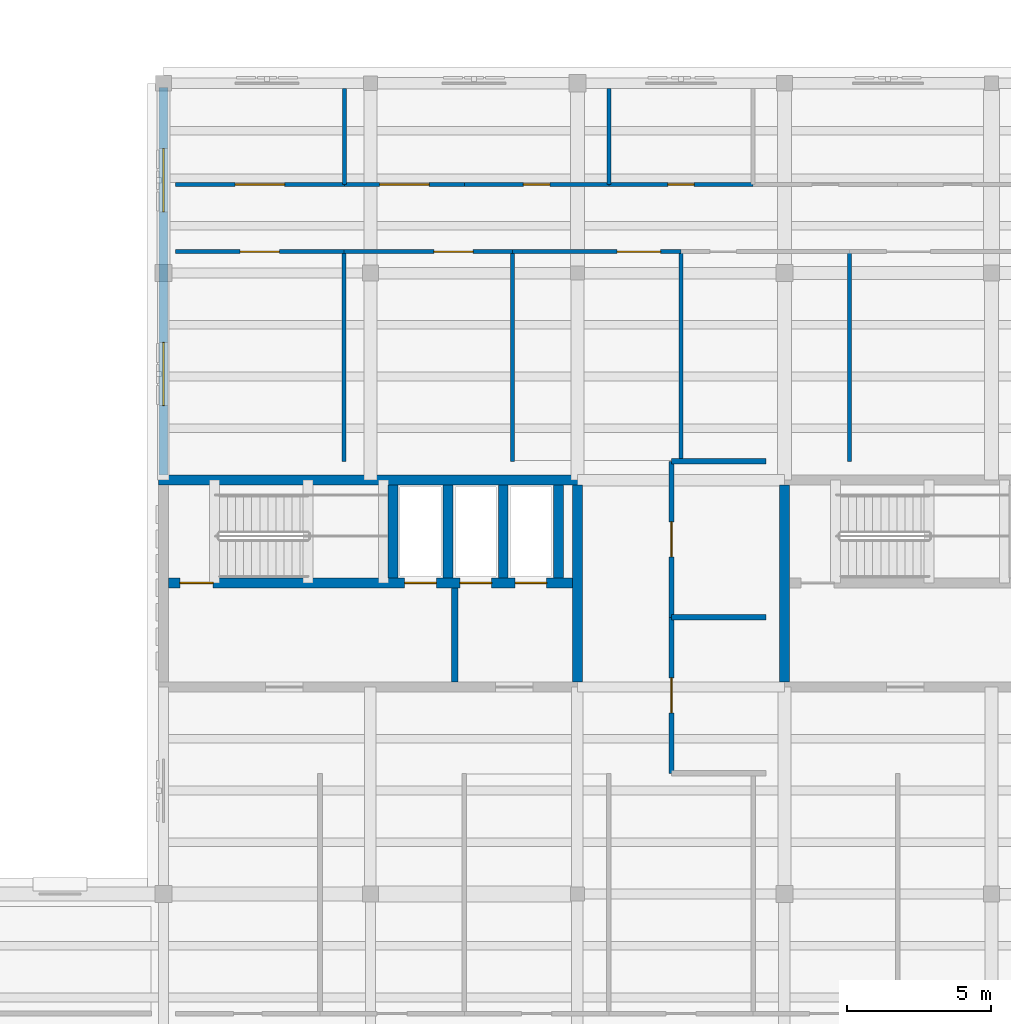
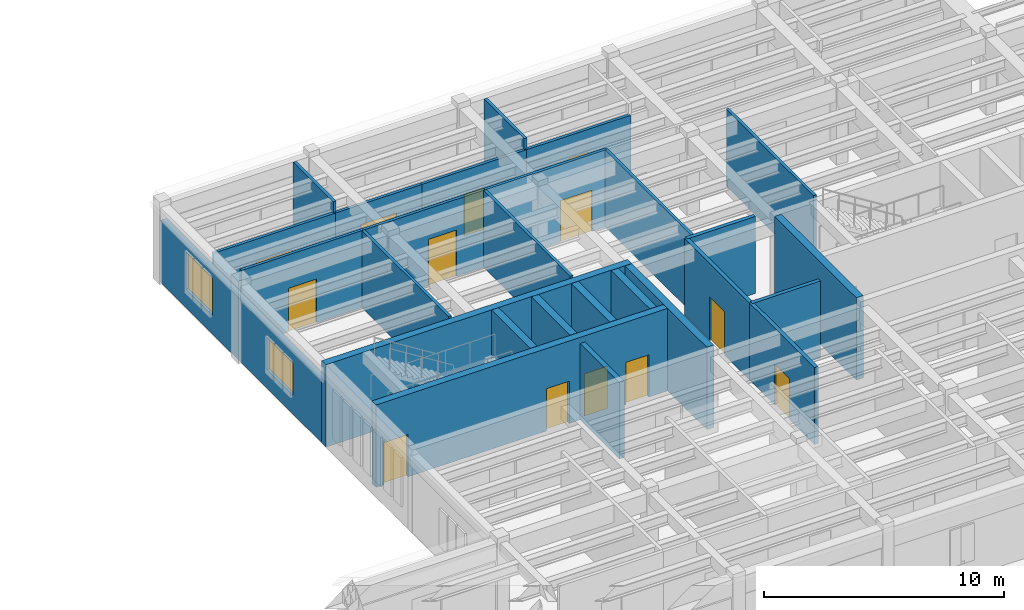
# One storey, part 14 of 22: 27 walls, 13 doors, 2 windows, 15 openings.
"""IFC4 building model written with IfcOpenShell, lengths in metres."""

from ifc_helpers import new_model, si_unit, direction, frame, frame_2d, origin, place, context, subcontext, project, spatial, rectangle, extrude, material, layer, layer_set, type_object, element, fill, save


model = new_model("IFC4")

# Units and contexts
model_context = context("Model", 3, precision=1e-05, world=origin(), true_north=direction((0.0, 1.0)))
body_context = subcontext(model_context, "Body", "Model", "MODEL_VIEW")
ifc_project = project(units=[si_unit("LENGTHUNIT", "METRE"), si_unit("AREAUNIT", "SQUARE_METRE"), si_unit("VOLUMEUNIT", "CUBIC_METRE"), si_unit("PLANEANGLEUNIT", "RADIAN"), si_unit("MASSUNIT", "GRAM", prefix="KILO")], contexts=[model_context])

# Site, building, storey
site_placement = place(None, origin())
site = spatial("IfcSite", under=ifc_project, at=site_placement, CompositionType="ELEMENT")
building_placement = place(site_placement, origin())
building = spatial("IfcBuilding", under=site, at=building_placement, Name="Mithqara Police Headquarters", CompositionType="ELEMENT")
storey_placement = place(building_placement, frame((0.0, 0.0, 22.199951171875)))
storey = spatial("IfcBuildingStorey", under=building, at=storey_placement, Name="L05", CompositionType="ELEMENT", Elevation=22.199951171875)

# Wall
ifc_material_1 = material(Name="Concrete C40/50", Category="concrete")
ifc_layer_1 = layer(ifc_material_1, 0.239990234375, Name="Concrete C40/50")
ifc_layer_set_1 = layer_set([ifc_layer_1], Name="Concrete C40/50")
wall_type_1 = type_object("IfcWallType", Name="CORE LOBBY WALL 240", PredefinedType="SOLIDWALL", material=ifc_layer_set_1)
wall_1_placement = place(storey_placement, frame((118.72998046875, 93.169921875, 0.0), z_axis=(0.0, 0.0, 1.0), x_axis=(0.0, 1.0, 0.0)))
element("IfcWall", 1, at=wall_1_placement, inside=storey, type_object=wall_type_1, Name="Core C1 Command West Firefighting Lobby Separation Wall L05", PredefinedType="SOLIDWALL", context=body_context, shape_type="SweptSolid", body=[
    extrude(rectangle(XDim=3.280029296875, YDim=0.239990234375, at=frame_2d((1.64013671875, 0.0))), origin(), (0.0, 0.0, 1.0), 3.89013671875),
])

# Wall, openings, windows
ifc_material_2 = material(Name="Ochre masonry cavity wall, 35 MPa", Category="masonry")
ifc_layer_2 = layer(ifc_material_2, 0.300048828125, Name="Ochre masonry cavity wall, 35 MPa")
ifc_layer_set_2 = layer_set([ifc_layer_2], Name="Ochre masonry cavity wall, 35 MPa")
wall_type_2 = type_object("IfcWallType", Name="EXT WALL OCHRE BRICK300", PredefinedType="SOLIDWALL", material=ifc_layer_set_2)
wall_2_placement = place(storey_placement, frame((108.60009765625, 113.85009765625, 0.0), z_axis=(0.0, 0.0, 1.0), x_axis=(0.0, -1.0, 0.0)))
wall_2 = element("IfcWall", 2, at=wall_2_placement, inside=storey, type_object=wall_type_2, Name="L05 Exterior Wall 9.1", PredefinedType="SOLIDWALL", context=body_context, shape_type="SweptSolid", body=[
    extrude(rectangle(XDim=13.47998046875, YDim=0.300048828125, at=frame_2d((6.739990234375, 0.0))), origin(), (0.0, 0.0, 1.0), 3.170166015625),
])
opening_1_placement = place(wall_2_placement, frame((8.864990234375, 0.0, 0.949951171875)))
opening_1 = element("IfcOpeningElement", 3, at=opening_1_placement, cuts=wall_2, Name="Opening W-42", PredefinedType="OPENING", context=body_context, shape_type="SweptSolid", body=[
    extrude(rectangle(XDim=2.199951171875, YDim=1.64990234375, at=frame_2d((1.10009765625, 0.824951171875))), frame((0.0, 0.16015625, 0.0), z_axis=(0.0, -1.0, 0.0), x_axis=(1.0, 0.0, 0.0)), (0.0, 0.0, 1.0), 0.320068359375),
])
opening_2_placement = place(wall_2_placement, frame((2.125, 0.0, 0.949951171875)))
opening_2 = element("IfcOpeningElement", 4, at=opening_2_placement, cuts=wall_2, Name="Opening W-43", PredefinedType="OPENING", context=body_context, shape_type="SweptSolid", body=[
    extrude(rectangle(XDim=2.199951171875, YDim=1.89990234375, at=frame_2d((1.10009765625, 0.949951171875))), frame((0.0, 0.16015625, 0.0), z_axis=(0.0, -1.0, 0.0), x_axis=(1.0, 0.0, 0.0)), (0.0, 0.0, 1.0), 0.320068359375),
])
ifc_material_3 = material(Name="Spectrally selective double low-e glass", Category="glass")
window_type_1 = type_object("IfcWindowType", Name="WINDOW 2200X1650", PartitioningType="DOUBLE_PANEL_VERTICAL", PredefinedType="WINDOW", material=ifc_material_3)
window_1_placement = place(opening_1_placement, origin())
window_1 = element("IfcWindow", 5, at=window_1_placement, inside=storey, type_object=window_type_1, Name="L05 Command Block Screened Window 9.1", OverallHeight=1.64990234375, OverallWidth=2.199951171875, PartitioningType="SINGLE_PANEL", PredefinedType="WINDOW", context=body_context, shape_type="SweptSolid", body=[
    extrude(rectangle(XDim=2.199951171875, YDim=1.64990234375, at=frame_2d((1.10009765625, 0.824951171875))), frame((0.0, 0.030029296875, 0.0), z_axis=(0.0, -1.0, 0.0), x_axis=(1.0, 0.0, 0.0)), (0.0, 0.0, 1.0), 0.06005859375),
])
fill(opening_1, window_1)
window_type_2 = type_object("IfcWindowType", Name="WINDOW 2200X1900", PartitioningType="DOUBLE_PANEL_VERTICAL", PredefinedType="WINDOW", material=ifc_material_3)
window_2_placement = place(opening_2_placement, origin())
window_2 = element("IfcWindow", 6, at=window_2_placement, inside=storey, type_object=window_type_2, Name="L05 Command Block Screened Window 9.2", OverallHeight=1.89990234375, OverallWidth=2.199951171875, PartitioningType="SINGLE_PANEL", PredefinedType="WINDOW", context=body_context, shape_type="SweptSolid", body=[
    extrude(rectangle(XDim=2.199951171875, YDim=1.89990234375, at=frame_2d((1.10009765625, 0.949951171875))), frame((0.0, 0.030029296875, 0.0), z_axis=(0.0, -1.0, 0.0), x_axis=(1.0, 0.0, 0.0)), (0.0, 0.0, 1.0), 0.06005859375),
])
fill(opening_2, window_2)

# Wall, opening, door
ifc_material_4 = material(Name="Gypsum acoustic stud partition", Category="gypsum")
ifc_layer_3 = layer(ifc_material_4, 0.139892578125, Name="Gypsum acoustic stud partition")
ifc_layer_set_3 = layer_set([ifc_layer_3], Name="Gypsum acoustic stud partition")
wall_type_3 = type_object("IfcWallType", Name="PART WALL 140", PredefinedType="PARTITIONING", material=ifc_layer_set_3)
wall_3_placement = place(storey_placement, frame((109.02001953125, 108.139892578125, 0.0), z_axis=(0.0, 0.0, 1.0), x_axis=(1.0, 0.0, 0.0)))
wall_3 = element("IfcWall", 7, at=wall_3_placement, inside=storey, type_object=wall_type_3, Name="L05 Corridor Wall Police Commissioner Directorate", PredefinedType="PARTITIONING", context=body_context, shape_type="SweptSolid", body=[
    extrude(rectangle(XDim=5.85986328125, YDim=0.139892578125, at=frame_2d((2.929931640625, 0.0))), origin(), (0.0, 0.0, 1.0), 3.920166015625),
])
opening_3_placement = place(wall_3_placement, frame((2.25, 0.0, 0.0)))
opening_3 = element("IfcOpeningElement", 8, at=opening_3_placement, cuts=wall_3, Name="Opening D-17", PredefinedType="OPENING", context=body_context, shape_type="SweptSolid", body=[
    extrude(rectangle(XDim=1.360107421875, YDim=2.219970703125, at=frame_2d((0.68017578125, 1.10986328125))), frame((0.0, 0.080078125, 0.0), z_axis=(0.0, -1.0, 0.0), x_axis=(1.0, 0.0, 0.0)), (0.0, 0.0, 1.0), 0.159912109375),
])
ifc_material_5 = material(Name="Bronze anodised aluminium 6063-T6", Category="aluminium")
door_type_1 = type_object("IfcDoorType", Name="INT DOOR 1360X2220", OperationType="NOTDEFINED", PredefinedType="DOOR", material=ifc_material_5)
door_1_placement = place(opening_3_placement, frame((1.360107421875, 0.0, 0.0), z_axis=(0.0, 0.0, 1.0), x_axis=(-1.0, 0.0, 0.0)))
door_1 = element("IfcDoor", 9, at=door_1_placement, inside=storey, type_object=door_type_1, Name="Police Commissioner Directorate Entry Door", OperationType="SINGLE_SWING_RIGHT", OverallHeight=2.219970703125, OverallWidth=1.360107421875, PredefinedType="DOOR", context=body_context, shape_type="SweptSolid", body=[
    extrude(rectangle(XDim=1.360107421875, YDim=2.219970703125, at=frame_2d((0.68017578125, 1.10986328125))), frame((0.0, 0.02490234375, 0.0), z_axis=(0.0, -1.0, 0.0), x_axis=(1.0, 0.0, 0.0)), (0.0, 0.0, 1.0), 0.050048828125),
])
fill(opening_3, door_1)

# Wall
wall_4_placement = place(storey_placement, frame((114.8798828125, 100.85009765625, 0.0), z_axis=(0.0, 0.0, 1.0), x_axis=(0.0, 1.0, 0.0)))
element("IfcWall", 10, at=wall_4_placement, inside=storey, type_object=wall_type_3, Name="L05 Room Partition Police Commissioner Directorate", PredefinedType="PARTITIONING", context=body_context, shape_type="SweptSolid", body=[
    extrude(rectangle(XDim=7.289794921875, YDim=0.139892578125, at=frame_2d((3.64501953125, 0.0))), origin(), (0.0, 0.0, 1.0), 3.920166015625),
])

# Wall, opening, door
wall_5_placement = place(storey_placement, frame((114.8798828125, 108.139892578125, 0.0), z_axis=(0.0, 0.0, 1.0), x_axis=(1.0, 0.0, 0.0)))
wall_5 = element("IfcWall", 11, at=wall_5_placement, inside=storey, type_object=wall_type_3, Name="L05 Corridor Wall Deputy Commissioner Suite", PredefinedType="PARTITIONING", context=body_context, shape_type="SweptSolid", body=[
    extrude(rectangle(XDim=5.860107421875, YDim=0.139892578125, at=frame_2d((2.93017578125, 0.0))), origin(), (0.0, 0.0, 1.0), 3.920166015625),
])
opening_4_placement = place(wall_5_placement, frame((3.12890625, 0.0, 0.0)))
opening_4 = element("IfcOpeningElement", 12, at=opening_4_placement, cuts=wall_5, Name="Opening D-18", PredefinedType="OPENING", context=body_context, shape_type="SweptSolid", body=[
    extrude(rectangle(XDim=1.360107421875, YDim=2.35009765625, at=frame_2d((0.68017578125, 1.175048828125))), frame((0.0, 0.080078125, 0.0), z_axis=(0.0, -1.0, 0.0), x_axis=(1.0, 0.0, 0.0)), (0.0, 0.0, 1.0), 0.159912109375),
])
door_type_2 = type_object("IfcDoorType", Name="INT DOOR 1360X2350", OperationType="NOTDEFINED", PredefinedType="DOOR", material=ifc_material_5)
door_2_placement = place(opening_4_placement, frame((1.360107421875, 0.0, 0.0), z_axis=(0.0, 0.0, 1.0), x_axis=(-1.0, 0.0, 0.0)))
door_2 = element("IfcDoor", 13, at=door_2_placement, inside=storey, type_object=door_type_2, Name="Deputy Commissioner Suite Entry Door", OperationType="SINGLE_SWING_LEFT", OverallHeight=2.35009765625, OverallWidth=1.360107421875, PredefinedType="DOOR", context=body_context, shape_type="SweptSolid", body=[
    extrude(rectangle(XDim=1.360107421875, YDim=2.35009765625, at=frame_2d((0.68017578125, 1.175048828125))), frame((0.0, 0.02490234375, 0.0), z_axis=(0.0, -1.0, 0.0), x_axis=(1.0, 0.0, 0.0)), (0.0, 0.0, 1.0), 0.050048828125),
])
fill(opening_4, door_2)

# Wall
wall_6_placement = place(storey_placement, frame((120.739990234375, 100.85009765625, 0.0), z_axis=(0.0, 0.0, 1.0), x_axis=(0.0, 1.0, 0.0)))
element("IfcWall", 14, at=wall_6_placement, inside=storey, type_object=wall_type_3, Name="L05 Room Partition Deputy Commissioner Suite", PredefinedType="PARTITIONING", context=body_context, shape_type="SweptSolid", body=[
    extrude(rectangle(XDim=7.289794921875, YDim=0.139892578125, at=frame_2d((3.64501953125, 0.0))), origin(), (0.0, 0.0, 1.0), 3.920166015625),
])

# Wall, opening, door
wall_7_placement = place(storey_placement, frame((120.739990234375, 108.139892578125, 0.0), z_axis=(0.0, 0.0, 1.0), x_axis=(1.0, 0.0, 0.0)))
wall_7 = element("IfcWall", 15, at=wall_7_placement, inside=storey, type_object=wall_type_3, Name="L05 Corridor Wall Executive Briefing Room", PredefinedType="PARTITIONING", context=body_context, shape_type="SweptSolid", body=[
    extrude(rectangle(XDim=5.860107421875, YDim=0.139892578125, at=frame_2d((2.93017578125, 0.0))), origin(), (0.0, 0.0, 1.0), 3.920166015625),
])
opening_5_placement = place(wall_7_placement, frame((3.635009765625, 0.0, 0.0)))
opening_5 = element("IfcOpeningElement", 16, at=opening_5_placement, cuts=wall_7, Name="Opening D-19", PredefinedType="OPENING", context=body_context, shape_type="SweptSolid", body=[
    extrude(rectangle(XDim=1.52001953125, YDim=2.10009765625, at=frame_2d((0.760009765625, 1.050048828125))), frame((0.0, 0.080078125, 0.0), z_axis=(0.0, -1.0, 0.0), x_axis=(1.0, 0.0, 0.0)), (0.0, 0.0, 1.0), 0.159912109375),
])
door_type_3 = type_object("IfcDoorType", Name="INT DOOR 1520X2100", OperationType="NOTDEFINED", PredefinedType="DOOR", material=ifc_material_5)
door_3_placement = place(opening_5_placement, frame((1.52001953125, 0.0, 0.0), z_axis=(0.0, 0.0, 1.0), x_axis=(-1.0, 0.0, 0.0)))
door_3 = element("IfcDoor", 17, at=door_3_placement, inside=storey, type_object=door_type_3, Name="Executive Briefing Room Entry Door", OperationType="DOUBLE_DOOR_SINGLE_SWING", OverallHeight=2.10009765625, OverallWidth=1.52001953125, PredefinedType="DOOR", context=body_context, shape_type="SweptSolid", body=[
    extrude(rectangle(XDim=1.52001953125, YDim=2.10009765625, at=frame_2d((0.760009765625, 1.050048828125))), frame((0.0, 0.02490234375, 0.0), z_axis=(0.0, -1.0, 0.0), x_axis=(1.0, 0.0, 0.0)), (0.0, 0.0, 1.0), 0.050048828125),
])
fill(opening_5, door_3)

# Walls
for number, where, z_axis, x_axis, name in (
    (18, (126.60009765625, 100.85009765625, 0.0), (0.0, 0.0, 1.0), (0.0, 1.0, 0.0), "L05 Room Partition Executive Briefing Room"),
    (19, (132.4599609375, 100.85009765625, 0.0), (0.0, 0.0, 1.0), (0.0, 1.0, 0.0), "L05 Room Partition Chief of Staff Office"),
):
    element("IfcWall", number, at=place(storey_placement, frame(where, z_axis=z_axis, x_axis=x_axis)), inside=storey, type_object=wall_type_3, Name=name, PredefinedType="PARTITIONING", context=body_context, shape_type="SweptSolid", body=[
        extrude(rectangle(XDim=7.289794921875, YDim=0.139892578125, at=frame_2d((3.64501953125, 0.0))), origin(), (0.0, 0.0, 1.0), 3.920166015625),
    ])

# Wall, opening, door
wall_8_placement = place(storey_placement, frame((109.02001953125, 110.47998046875, 0.0), z_axis=(0.0, 0.0, 1.0), x_axis=(1.0, 0.0, 0.0)))
wall_8 = element("IfcWall", 20, at=wall_8_placement, inside=storey, type_object=wall_type_3, Name="L05 Corridor Wall Executive Briefing Room", PredefinedType="PARTITIONING", context=body_context, shape_type="SweptSolid", body=[
    extrude(rectangle(XDim=5.873046875, YDim=0.139892578125, at=frame_2d((2.9365234375, 0.0))), origin(), (0.0, 0.0, 1.0), 3.3701171875),
])
opening_6_placement = place(wall_8_placement, frame((2.076416015625, 0.0, 0.0)))
opening_6 = element("IfcOpeningElement", 21, at=opening_6_placement, cuts=wall_8, Name="Opening D-23", PredefinedType="OPENING", context=body_context, shape_type="SweptSolid", body=[
    extrude(rectangle(XDim=1.719970703125, YDim=2.219970703125, at=frame_2d((0.85986328125, 1.10986328125))), frame((0.0, 0.080078125, 0.0), z_axis=(0.0, -1.0, 0.0), x_axis=(1.0, 0.0, 0.0)), (0.0, 0.0, 1.0), 0.159912109375),
])
door_type_4 = type_object("IfcDoorType", Name="INT DOOR 1720X2220", OperationType="NOTDEFINED", PredefinedType="DOOR", material=ifc_material_5)
door_4_placement = place(opening_6_placement, origin())
door_4 = element("IfcDoor", 22, at=door_4_placement, inside=storey, type_object=door_type_4, Name="Executive Briefing Room Entry Door", OperationType="DOUBLE_DOOR_SINGLE_SWING", OverallHeight=2.219970703125, OverallWidth=1.719970703125, PredefinedType="DOOR", context=body_context, shape_type="SweptSolid", body=[
    extrude(rectangle(XDim=1.719970703125, YDim=2.219970703125, at=frame_2d((0.85986328125, 1.10986328125))), frame((0.0, 0.02490234375, 0.0), z_axis=(0.0, -1.0, 0.0), x_axis=(1.0, 0.0, 0.0)), (0.0, 0.0, 1.0), 0.050048828125),
])
fill(opening_6, door_4)

# Wall
wall_9_placement = place(storey_placement, frame((114.89306640625, 110.47998046875, 0.0), z_axis=(0.0, 0.0, 1.0), x_axis=(0.0, 1.0, 0.0)))
element("IfcWall", 23, at=wall_9_placement, inside=storey, type_object=wall_type_3, Name="L05 Room Partition Executive Briefing Room", PredefinedType="PARTITIONING", context=body_context, shape_type="SweptSolid", body=[
    extrude(rectangle(XDim=3.340087890625, YDim=0.139892578125, at=frame_2d((1.669921875, 0.0))), origin(), (0.0, 0.0, 1.0), 3.920166015625),
])

# Wall, opening, door
wall_10_placement = place(storey_placement, frame((114.89306640625, 110.47998046875, 0.0), z_axis=(0.0, 0.0, 1.0), x_axis=(1.0, 0.0, 0.0)))
wall_10 = element("IfcWall", 24, at=wall_10_placement, inside=storey, type_object=wall_type_3, Name="L05 Corridor Wall Chief of Staff Office", PredefinedType="PARTITIONING", context=body_context, shape_type="SweptSolid", body=[
    extrude(rectangle(XDim=4.1728515625, YDim=0.139892578125, at=frame_2d((2.08642578125, 0.0))), origin(), (0.0, 0.0, 1.0), 3.3701171875),
])
opening_7_placement = place(wall_10_placement, frame((1.2265625, 0.0, 0.0)))
opening_7 = element("IfcOpeningElement", 25, at=opening_7_placement, cuts=wall_10, Name="Opening D-24", PredefinedType="OPENING", context=body_context, shape_type="SweptSolid", body=[
    extrude(rectangle(XDim=1.719970703125, YDim=2.35009765625, at=frame_2d((0.85986328125, 1.175048828125))), frame((0.0, 0.080078125, 0.0), z_axis=(0.0, -1.0, 0.0), x_axis=(1.0, 0.0, 0.0)), (0.0, 0.0, 1.0), 0.159912109375),
])
door_type_5 = type_object("IfcDoorType", Name="INT DOOR 1720X2350", OperationType="NOTDEFINED", PredefinedType="DOOR", material=ifc_material_5)
door_5_placement = place(opening_7_placement, origin())
door_5 = element("IfcDoor", 26, at=door_5_placement, inside=storey, type_object=door_type_5, Name="Chief of Staff Office Entry Door", OperationType="DOUBLE_DOOR_SINGLE_SWING", OverallHeight=2.35009765625, OverallWidth=1.719970703125, PredefinedType="DOOR", context=body_context, shape_type="SweptSolid", body=[
    extrude(rectangle(XDim=1.719970703125, YDim=2.35009765625, at=frame_2d((0.85986328125, 1.175048828125))), frame((0.0, 0.02490234375, 0.0), z_axis=(0.0, -1.0, 0.0), x_axis=(1.0, 0.0, 0.0)), (0.0, 0.0, 1.0), 0.050048828125),
])
fill(opening_7, door_5)

wall_11_placement = place(storey_placement, frame((119.06591796875, 110.47998046875, 0.0), z_axis=(0.0, 0.0, 1.0), x_axis=(1.0, 0.0, 0.0)))
wall_11 = element("IfcWall", 27, at=wall_11_placement, inside=storey, type_object=wall_type_3, Name="L05 Corridor Wall Police Commissioner Directorate", PredefinedType="PARTITIONING", context=body_context, shape_type="SweptSolid", body=[
    extrude(rectangle(XDim=5.023193359375, YDim=0.139892578125, at=frame_2d((2.51171875, 0.0))), origin(), (0.0, 0.0, 1.0), 3.3701171875),
])
opening_8_placement = place(wall_11_placement, frame((2.051513671875, 0.0, 0.0)))
opening_8 = element("IfcOpeningElement", 28, at=opening_8_placement, cuts=wall_11, Name="Opening D-01", PredefinedType="OPENING", context=body_context, shape_type="SweptSolid", body=[
    extrude(rectangle(XDim=0.919921875, YDim=2.10009765625, at=frame_2d((0.4599609375, 1.050048828125))), frame((0.0, 0.080078125, 0.0), z_axis=(0.0, -1.0, 0.0), x_axis=(1.0, 0.0, 0.0)), (0.0, 0.0, 1.0), 0.159912109375),
])
ifc_material_6 = material(Name="Acoustic solid-core timber leaf", Category="wood")
door_type_6 = type_object("IfcDoorType", Name="INT DOOR 920X2100", OperationType="NOTDEFINED", PredefinedType="DOOR", material=ifc_material_6)
door_6_placement = place(opening_8_placement, origin())
door_6 = element("IfcDoor", 29, at=door_6_placement, inside=storey, type_object=door_type_6, Name="Police Commissioner Directorate Entry Door", OperationType="SINGLE_SWING_RIGHT", OverallHeight=2.10009765625, OverallWidth=0.919921875, PredefinedType="DOOR", context=body_context, shape_type="SweptSolid", body=[
    extrude(rectangle(XDim=0.919921875, YDim=2.10009765625, at=frame_2d((0.4599609375, 1.050048828125))), frame((0.0, 0.02490234375, 0.0), z_axis=(0.0, -1.0, 0.0), x_axis=(1.0, 0.0, 0.0)), (0.0, 0.0, 1.0), 0.050048828125),
])
fill(opening_8, door_6)

# Wall
wall_12_placement = place(storey_placement, frame((124.089111328125, 110.47998046875, 0.0), z_axis=(0.0, 0.0, 1.0), x_axis=(0.0, 1.0, 0.0)))
element("IfcWall", 30, at=wall_12_placement, inside=storey, type_object=wall_type_3, Name="L05 Room Partition Police Commissioner Directorate", PredefinedType="PARTITIONING", context=body_context, shape_type="SweptSolid", body=[
    extrude(rectangle(XDim=3.340087890625, YDim=0.139892578125, at=frame_2d((1.669921875, 0.0))), origin(), (0.0, 0.0, 1.0), 3.920166015625),
])

# Wall, opening, door
wall_13_placement = place(storey_placement, frame((124.089111328125, 110.47998046875, 0.0), z_axis=(0.0, 0.0, 1.0), x_axis=(1.0, 0.0, 0.0)))
wall_13 = element("IfcWall", 31, at=wall_13_placement, inside=storey, type_object=wall_type_3, Name="L05 Corridor Wall Deputy Commissioner Suite", PredefinedType="PARTITIONING", context=body_context, shape_type="SweptSolid", body=[
    extrude(rectangle(XDim=5.02197265625, YDim=0.139892578125, at=frame_2d((2.510986328125, 0.0))), origin(), (0.0, 0.0, 1.0), 3.3701171875),
])
opening_9_placement = place(wall_13_placement, frame((2.051025390625, 0.0, 0.0)))
opening_9 = element("IfcOpeningElement", 32, at=opening_9_placement, cuts=wall_13, Name="Opening D-02", PredefinedType="OPENING", context=body_context, shape_type="SweptSolid", body=[
    extrude(rectangle(XDim=0.919921875, YDim=2.219970703125, at=frame_2d((0.4599609375, 1.10986328125))), frame((0.0, 0.080078125, 0.0), z_axis=(0.0, -1.0, 0.0), x_axis=(1.0, 0.0, 0.0)), (0.0, 0.0, 1.0), 0.159912109375),
])
door_type_7 = type_object("IfcDoorType", Name="INT DOOR 920X2220", OperationType="NOTDEFINED", PredefinedType="DOOR", material=ifc_material_6)
door_7_placement = place(opening_9_placement, origin())
door_7 = element("IfcDoor", 33, at=door_7_placement, inside=storey, type_object=door_type_7, Name="Deputy Commissioner Suite Entry Door", OperationType="SINGLE_SWING_LEFT", OverallHeight=2.219970703125, OverallWidth=0.919921875, PredefinedType="DOOR", context=body_context, shape_type="SweptSolid", body=[
    extrude(rectangle(XDim=0.919921875, YDim=2.219970703125, at=frame_2d((0.4599609375, 1.10986328125))), frame((0.0, 0.02490234375, 0.0), z_axis=(0.0, -1.0, 0.0), x_axis=(1.0, 0.0, 0.0)), (0.0, 0.0, 1.0), 0.050048828125),
])
fill(opening_9, door_7)

# Wall
ifc_layer_4 = layer(ifc_material_1, 0.179931640625, Name="Concrete C40/50")
ifc_layer_set_4 = layer_set([ifc_layer_4], Name="Concrete C40/50")
wall_type_4 = type_object("IfcWallType", Name="PART WALL 180", PredefinedType="PARTITIONING", material=ifc_layer_set_4)
wall_14_placement = place(storey_placement, frame((126.27001953125, 100.85009765625, 0.0), z_axis=(0.0, 0.0, 1.0), x_axis=(1.0, 0.0, 0.0)))
element("IfcWall", 34, at=wall_14_placement, inside=storey, type_object=wall_type_4, Name="L05 Partition End Closure E1", PredefinedType="PARTITIONING", context=body_context, shape_type="SweptSolid", body=[
    extrude(rectangle(XDim=3.280029296875, YDim=0.179931640625, at=frame_2d((1.64013671875, 0.0))), origin(), (0.0, 0.0, 1.0), 3.920166015625),
])

# Wall, opening, door
wall_15_placement = place(storey_placement, frame((126.27001953125, 90.0, 0.0), z_axis=(0.0, 0.0, 1.0), x_axis=(0.0, 1.0, 0.0)))
wall_15 = element("IfcWall", 35, at=wall_15_placement, inside=storey, type_object=wall_type_4, Name="L05 Corridor Wall Police Commissioner Directorate", PredefinedType="PARTITIONING", context=body_context, shape_type="SweptSolid", body=[
    extrude(rectangle(XDim=5.425048828125, YDim=0.179931640625, at=frame_2d((2.71240234375, 0.0))), origin(), (0.0, 0.0, 1.0), 3.920166015625),
])
opening_10_placement = place(wall_15_placement, frame((2.1025390625, 0.0, 0.0)))
opening_10 = element("IfcOpeningElement", 36, at=opening_10_placement, cuts=wall_15, Name="Opening D-13", PredefinedType="OPENING", context=body_context, shape_type="SweptSolid", body=[
    extrude(rectangle(XDim=1.219970703125, YDim=2.10009765625, at=frame_2d((0.60986328125, 1.050048828125))), frame((0.0, 0.10009765625, 0.0), z_axis=(0.0, -1.0, 0.0), x_axis=(1.0, 0.0, 0.0)), (0.0, 0.0, 1.0), 0.199951171875),
])
door_type_8 = type_object("IfcDoorType", Name="INT DOOR 1220X2100", OperationType="NOTDEFINED", PredefinedType="DOOR", material=ifc_material_6)
door_8_placement = place(opening_10_placement, origin())
door_8 = element("IfcDoor", 37, at=door_8_placement, inside=storey, type_object=door_type_8, Name="Police Commissioner Directorate Entry Door", OperationType="SINGLE_SWING_RIGHT", OverallHeight=2.10009765625, OverallWidth=1.219970703125, PredefinedType="DOOR", context=body_context, shape_type="SweptSolid", body=[
    extrude(rectangle(XDim=1.219970703125, YDim=2.10009765625, at=frame_2d((0.60986328125, 1.050048828125))), frame((0.0, 0.02490234375, 0.0), z_axis=(0.0, -1.0, 0.0), x_axis=(1.0, 0.0, 0.0)), (0.0, 0.0, 1.0), 0.050048828125),
])
fill(opening_10, door_8)

# Wall
wall_16_placement = place(storey_placement, frame((126.27001953125, 95.425048828125, 0.0), z_axis=(0.0, 0.0, 1.0), x_axis=(1.0, 0.0, 0.0)))
element("IfcWall", 38, at=wall_16_placement, inside=storey, type_object=wall_type_4, Name="L05 Room Partition Police Commissioner Directorate", PredefinedType="PARTITIONING", context=body_context, shape_type="SweptSolid", body=[
    extrude(rectangle(XDim=3.280029296875, YDim=0.179931640625, at=frame_2d((1.64013671875, 0.0))), origin(), (0.0, 0.0, 1.0), 3.920166015625),
])

# Wall, opening, door
wall_17_placement = place(storey_placement, frame((126.27001953125, 95.425048828125, 0.0), z_axis=(0.0, 0.0, 1.0), x_axis=(0.0, 1.0, 0.0)))
wall_17 = element("IfcWall", 39, at=wall_17_placement, inside=storey, type_object=wall_type_4, Name="L05 Corridor Wall Deputy Commissioner Suite", PredefinedType="PARTITIONING", context=body_context, shape_type="SweptSolid", body=[
    extrude(rectangle(XDim=5.425048828125, YDim=0.179931640625, at=frame_2d((2.71240234375, 0.0))), origin(), (0.0, 0.0, 1.0), 3.920166015625),
])
opening_11_placement = place(wall_17_placement, frame((2.1025390625, 0.0, 0.0)))
opening_11 = element("IfcOpeningElement", 40, at=opening_11_placement, cuts=wall_17, Name="Opening D-14", PredefinedType="OPENING", context=body_context, shape_type="SweptSolid", body=[
    extrude(rectangle(XDim=1.219970703125, YDim=2.219970703125, at=frame_2d((0.60986328125, 1.10986328125))), frame((0.0, 0.10009765625, 0.0), z_axis=(0.0, -1.0, 0.0), x_axis=(1.0, 0.0, 0.0)), (0.0, 0.0, 1.0), 0.199951171875),
])
door_type_9 = type_object("IfcDoorType", Name="INT DOOR 1220X2220", OperationType="NOTDEFINED", PredefinedType="DOOR", material=ifc_material_6)
door_9_placement = place(opening_11_placement, origin())
door_9 = element("IfcDoor", 41, at=door_9_placement, inside=storey, type_object=door_type_9, Name="Deputy Commissioner Suite Entry Door", OperationType="SINGLE_SWING_LEFT", OverallHeight=2.219970703125, OverallWidth=1.219970703125, PredefinedType="DOOR", context=body_context, shape_type="SweptSolid", body=[
    extrude(rectangle(XDim=1.219970703125, YDim=2.219970703125, at=frame_2d((0.60986328125, 1.10986328125))), frame((0.0, 0.02490234375, 0.0), z_axis=(0.0, -1.0, 0.0), x_axis=(1.0, 0.0, 0.0)), (0.0, 0.0, 1.0), 0.050048828125),
])
fill(opening_11, door_9)

# Walls
ifc_material_7 = material(Name="Concrete C50/60", Category="concrete")
ifc_layer_5 = layer(ifc_material_7, 0.340087890625, Name="Concrete C50/60")
ifc_layer_set_5 = layer_set([ifc_layer_5], Name="Concrete C50/60")
wall_type_5 = type_object("IfcWallType", Name="SHEAR WALL 340", PredefinedType="SHEAR", material=ifc_layer_set_5)
wall_18_placement = place(storey_placement, frame((108.429931640625, 100.199951171875, 0.0), z_axis=(0.0, 0.0, 1.0), x_axis=(1.0, 0.0, 0.0)))
element("IfcWall", 42, at=wall_18_placement, inside=storey, type_object=wall_type_5, Name="Core C1 Command West Shear Wall N", PredefinedType="SHEAR", context=body_context, shape_type="SweptSolid", body=[
    extrude(rectangle(XDim=14.739990234375, YDim=0.340087890625, at=frame_2d((7.3701171875, 0.0))), origin(), (0.0, 0.0, 1.0), 4.199951171875),
])
wall_19_placement = place(storey_placement, frame((123.0, 93.179931640625, 0.0), z_axis=(0.0, 0.0, 1.0), x_axis=(0.0, 1.0, 0.0)))
element("IfcWall", 43, at=wall_19_placement, inside=storey, type_object=wall_type_5, Name="Core C1 Command West Shear Wall E", PredefinedType="SHEAR", context=body_context, shape_type="SweptSolid", body=[
    extrude(rectangle(XDim=6.840087890625, YDim=0.340087890625, at=frame_2d((3.419921875, 0.0))), origin(), (0.0, 0.0, 1.0), 4.199951171875),
])

# Wall, openings, doors
wall_20_placement = place(storey_placement, frame((108.780029296875, 96.6201171875, 0.0), z_axis=(0.0, 0.0, 1.0), x_axis=(1.0, 0.0, 0.0)))
wall_20 = element("IfcWall", 44, at=wall_20_placement, inside=storey, type_object=wall_type_5, Name="Core C1 Command West Shear Wall M", PredefinedType="SHEAR", context=body_context, shape_type="SweptSolid", body=[
    extrude(rectangle(XDim=14.0400390625, YDim=0.340087890625, at=frame_2d((7.02001953125, 0.0))), origin(), (0.0, 0.0, 1.0), 4.199951171875),
])
opening_12_placement = place(wall_20_placement, frame((8.2099609375, 0.0, 0.0)))
opening_12 = element("IfcOpeningElement", 45, at=opening_12_placement, cuts=wall_20, Name="Opening LD-01", PredefinedType="OPENING", context=body_context, shape_type="SweptSolid", body=[
    extrude(rectangle(XDim=1.10009765625, YDim=2.14990234375, at=frame_2d((0.550048828125, 1.074951171875))), frame((0.0, 0.18017578125, 0.0), z_axis=(0.0, -1.0, 0.0), x_axis=(1.0, 0.0, 0.0)), (0.0, 0.0, 1.0), 0.360107421875),
])
opening_13_placement = place(wall_20_placement, frame((10.1298828125, 0.0, 0.0)))
opening_13 = element("IfcOpeningElement", 46, at=opening_13_placement, cuts=wall_20, Name="Opening LD-01", PredefinedType="OPENING", context=body_context, shape_type="SweptSolid", body=[
    extrude(rectangle(XDim=1.10009765625, YDim=2.14990234375, at=frame_2d((0.550048828125, 1.074951171875))), frame((0.0, 0.18017578125, 0.0), z_axis=(0.0, -1.0, 0.0), x_axis=(1.0, 0.0, 0.0)), (0.0, 0.0, 1.0), 0.360107421875),
])
opening_14_placement = place(wall_20_placement, frame((12.050048828125, 0.0, 0.0)))
opening_14 = element("IfcOpeningElement", 47, at=opening_14_placement, cuts=wall_20, Name="Opening LD-01", PredefinedType="OPENING", context=body_context, shape_type="SweptSolid", body=[
    extrude(rectangle(XDim=1.10009765625, YDim=2.14990234375, at=frame_2d((0.550048828125, 1.074951171875))), frame((0.0, 0.18017578125, 0.0), z_axis=(0.0, -1.0, 0.0), x_axis=(1.0, 0.0, 0.0)), (0.0, 0.0, 1.0), 0.360107421875),
])
opening_15_placement = place(wall_20_placement, frame((0.39501953125, 0.0, 0.0)))
opening_15 = element("IfcOpeningElement", 48, at=opening_15_placement, cuts=wall_20, Name="Opening FD-01", PredefinedType="OPENING", context=body_context, shape_type="SweptSolid", body=[
    extrude(rectangle(XDim=1.14990234375, YDim=2.14990234375, at=frame_2d((0.574951171875, 1.074951171875))), frame((0.0, 0.18017578125, 0.0), z_axis=(0.0, -1.0, 0.0), x_axis=(1.0, 0.0, 0.0)), (0.0, 0.0, 1.0), 0.360107421875),
])
ifc_material_8 = material(Name="Steel S355JR", Category="steel")
door_type_10 = type_object("IfcDoorType", Name="CORE DOOR STAIR 1150X2150", OperationType="NOTDEFINED", PredefinedType="DOOR", material=ifc_material_8)
door_10_placement = place(opening_15_placement, origin())
door_10 = element("IfcDoor", 49, at=door_10_placement, inside=storey, type_object=door_type_10, Name="Stair ST-01 Fire Door L05", OperationType="SINGLE_SWING_RIGHT", OverallHeight=2.14990234375, OverallWidth=1.14990234375, PredefinedType="DOOR", context=body_context, shape_type="SweptSolid", body=[
    extrude(rectangle(XDim=1.14990234375, YDim=2.14990234375, at=frame_2d((0.574951171875, 1.074951171875))), frame((0.0, 0.02490234375, 0.0), z_axis=(0.0, -1.0, 0.0), x_axis=(1.0, 0.0, 0.0)), (0.0, 0.0, 1.0), 0.050048828125),
])
fill(opening_15, door_10)
door_type_11 = type_object("IfcDoorType", Name="LIFT DOOR 1100X2150", OperationType="DOUBLE_DOOR_SLIDING", PredefinedType="DOOR", material=ifc_material_8)
door_11_placement = place(opening_12_placement, frame((1.10009765625, 0.0, 0.0), z_axis=(0.0, 0.0, 1.0), x_axis=(-1.0, 0.0, 0.0)))
door_11 = element("IfcDoor", 50, at=door_11_placement, inside=storey, type_object=door_type_11, Name="Lift Landing Door FL-01-L05", OperationType="DOUBLE_DOOR_SLIDING", OverallHeight=2.14990234375, OverallWidth=1.10009765625, PredefinedType="DOOR", context=body_context, shape_type="SweptSolid", body=[
    extrude(rectangle(XDim=1.10009765625, YDim=2.14990234375, at=frame_2d((0.550048828125, 1.074951171875))), frame((0.0, 0.02490234375, 0.0), z_axis=(0.0, -1.0, 0.0), x_axis=(1.0, 0.0, 0.0)), (0.0, 0.0, 1.0), 0.050048828125),
])
fill(opening_12, door_11)
door_12_placement = place(opening_13_placement, frame((1.10009765625, 0.0, 0.0), z_axis=(0.0, 0.0, 1.0), x_axis=(-1.0, 0.0, 0.0)))
door_12 = element("IfcDoor", 51, at=door_12_placement, inside=storey, type_object=door_type_11, Name="Lift Landing Door LP-01-L05", OperationType="DOUBLE_DOOR_SLIDING", OverallHeight=2.14990234375, OverallWidth=1.10009765625, PredefinedType="DOOR", context=body_context, shape_type="SweptSolid", body=[
    extrude(rectangle(XDim=1.10009765625, YDim=2.14990234375, at=frame_2d((0.550048828125, 1.074951171875))), frame((0.0, 0.02490234375, 0.0), z_axis=(0.0, -1.0, 0.0), x_axis=(1.0, 0.0, 0.0)), (0.0, 0.0, 1.0), 0.050048828125),
])
fill(opening_13, door_12)
door_13_placement = place(opening_14_placement, frame((1.10009765625, 0.0, 0.0), z_axis=(0.0, 0.0, 1.0), x_axis=(-1.0, 0.0, 0.0)))
door_13 = element("IfcDoor", 52, at=door_13_placement, inside=storey, type_object=door_type_11, Name="Lift Landing Door LP-02-L05", OperationType="DOUBLE_DOOR_SLIDING", OverallHeight=2.14990234375, OverallWidth=1.10009765625, PredefinedType="DOOR", context=body_context, shape_type="SweptSolid", body=[
    extrude(rectangle(XDim=1.10009765625, YDim=2.14990234375, at=frame_2d((0.550048828125, 1.074951171875))), frame((0.0, 0.02490234375, 0.0), z_axis=(0.0, -1.0, 0.0), x_axis=(1.0, 0.0, 0.0)), (0.0, 0.0, 1.0), 0.050048828125),
])
fill(opening_14, door_13)

# Walls
for number, where, z_axis, x_axis, name in (
    (53, (116.580078125, 96.800048828125, 0.0), (0.0, 0.0, 1.0), (0.0, 1.0, 0.0), "Core C1 Command West Shear Wall X"),
    (54, (118.5, 96.800048828125, 0.0), (0.0, 0.0, 1.0), (0.0, 1.0, 0.0), "Core C1 Command West Shear Wall L1"),
    (55, (120.419921875, 96.800048828125, 0.0), (0.0, 0.0, 1.0), (0.0, 1.0, 0.0), "Core C1 Command West Shear Wall L2"),
    (56, (122.340087890625, 96.800048828125, 0.0), (0.0, 0.0, 1.0), (0.0, 1.0, 0.0), "Core C1 Command West Shear Wall L3"),
):
    element("IfcWall", number, at=place(storey_placement, frame(where, z_axis=z_axis, x_axis=x_axis)), inside=storey, type_object=wall_type_5, Name=name, PredefinedType="SHEAR", context=body_context, shape_type="SweptSolid", body=[
        extrude(rectangle(XDim=3.219970703125, YDim=0.340087890625, at=frame_2d((1.60986328125, 0.0))), origin(), (0.0, 0.0, 1.0), 4.199951171875),
    ])
wall_21_placement = place(storey_placement, frame((130.199951171875, 93.179931640625, 0.0), z_axis=(0.0, 0.0, 1.0), x_axis=(0.0, 1.0, 0.0)))
element("IfcWall", 57, at=wall_21_placement, inside=storey, type_object=wall_type_5, Name="Core C2 Command East Shear Wall W", PredefinedType="SHEAR", context=body_context, shape_type="SweptSolid", body=[
    extrude(rectangle(XDim=6.840087890625, YDim=0.340087890625, at=frame_2d((3.419921875, 0.0))), origin(), (0.0, 0.0, 1.0), 4.199951171875),
])

save(model, "model.ifc")
